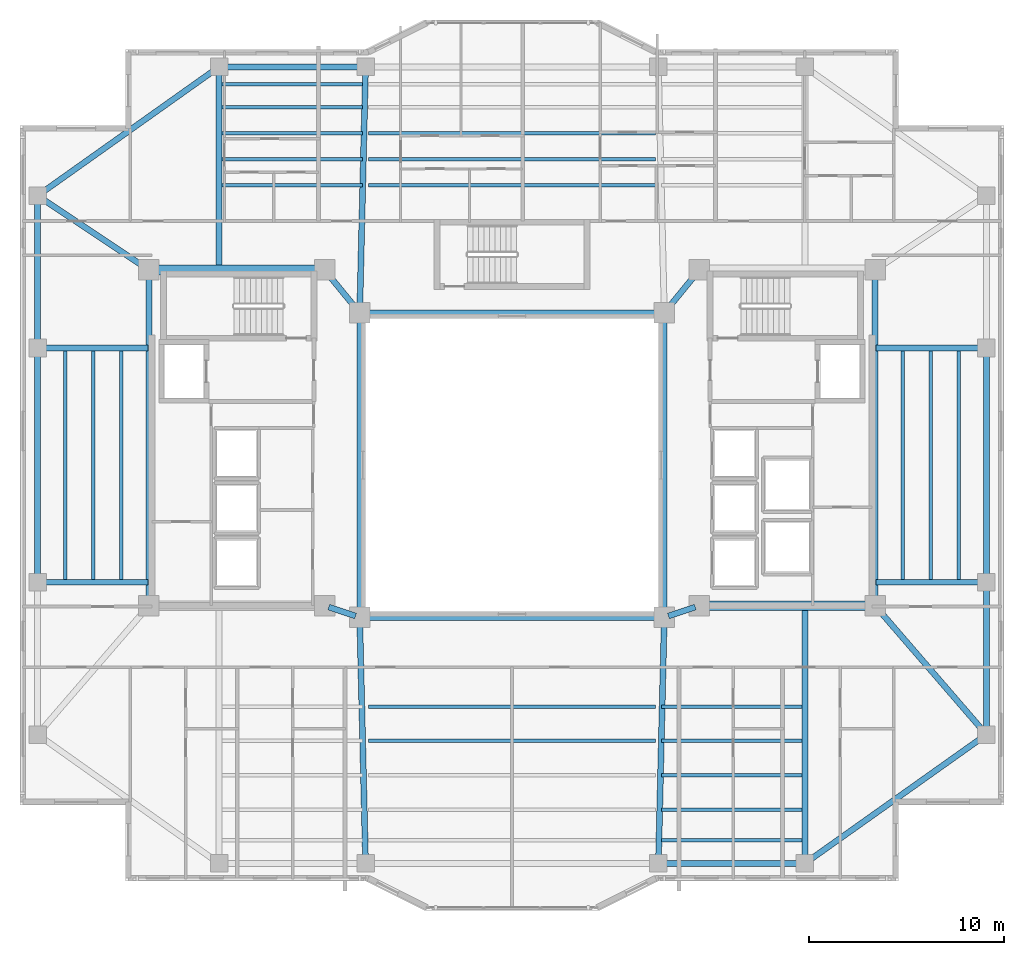
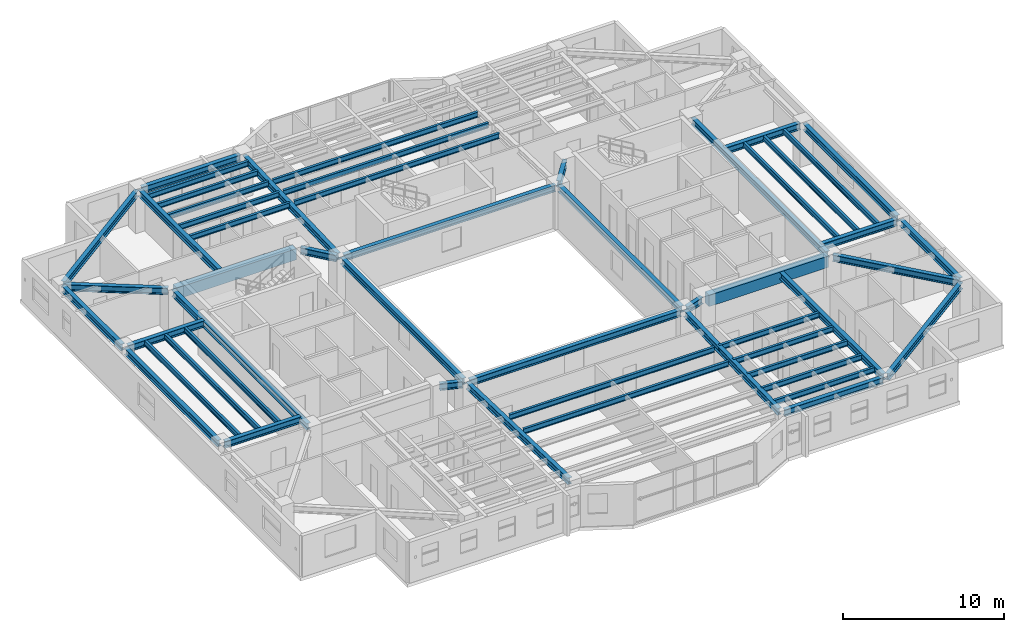
# One storey, part 3 of 16: 52 beams.
"""IFC4 building model written with IfcOpenShell, lengths in metres."""

from ifc_helpers import new_model, si_unit, direction, frame, origin, origin_2d, place, context, subcontext, project, spatial, rectangle, i_section, extrude, material, material_profile, profile_set, type_object, element, save


model = new_model("IFC4")

# Units and contexts
model_context = context("Model", 3, precision=1e-05, world=origin(), true_north=direction((0.0, 1.0)))
body_context = subcontext(model_context, "Body", "Model", "MODEL_VIEW")
ifc_project = project(units=[si_unit("LENGTHUNIT", "METRE"), si_unit("AREAUNIT", "SQUARE_METRE"), si_unit("VOLUMEUNIT", "CUBIC_METRE"), si_unit("PLANEANGLEUNIT", "RADIAN"), si_unit("MASSUNIT", "GRAM", prefix="KILO")], contexts=[model_context])

# Site, building, storey
site_placement = place(None, origin())
site = spatial("IfcSite", under=ifc_project, at=site_placement, CompositionType="ELEMENT")
building_placement = place(site_placement, origin())
building = spatial("IfcBuilding", under=site, at=building_placement, Name="Tarnavaz Court Tower", CompositionType="ELEMENT")
storey_placement = place(building_placement, frame((0.0, 0.0, 152.699951171875)))
storey = spatial("IfcBuildingStorey", under=building, at=storey_placement, Name="L41", CompositionType="ELEMENT", Elevation=152.699951171875)

# Beams
ifc_material_1 = material(Name="Concrete C50/60", Category="concrete")
ifc_material_profile_1 = material_profile(ifc_material_1, rectangle(XDim=0.5, YDim=0.85009765625, at=origin_2d()), Name="RC 500X850")
ifc_profile_set_1 = profile_set([ifc_material_profile_1], Name="Concrete C50/60")
beam_type_1 = type_object("IfcBeamType", Name="BM-CB850", PredefinedType="LINTEL", material=ifc_profile_set_1)
for number, where, z_axis, x_axis, name in (
    (1, (-18.3798828125, 10.0, 2.675048828125), (1.0, 0.0, 0.0), (0.0, 1.0, 0.0), "L41 Beam IN-CW-NO-CW-NI"),
    (2, (18.3798828125, -7.199951171875, 2.675048828125), (-1.0, 0.0, 0.0), (0.0, -1.0, 0.0), "L41 Beam IN-CE-SO-CE-SI"),
):
    element("IfcBeam", number, at=place(storey_placement, frame(where, z_axis=z_axis, x_axis=x_axis)), inside=storey, type_object=beam_type_1, Name=name, PredefinedType="LINTEL", context=body_context, shape_type="SweptSolid", body=[
        extrude(rectangle(XDim=0.5, YDim=0.85009765625, at=origin_2d()), origin(), (0.0, 0.0, 1.0), 8.559814453125),
    ])
ifc_material_2 = material(Name="Steel S355", Category="steel")
ifc_material_profile_2 = material_profile(ifc_material_2, i_section(OverallWidth=0.300048828125, OverallDepth=0.5, WebThickness=0.014404296875, FlangeThickness=0.028076171875, FilletRadius=0.027099609375, at=origin_2d()), Name="HEB 500")
ifc_profile_set_2 = profile_set([ifc_material_profile_2], Name="Steel S355")
beam_type_2 = type_object("IfcBeamType", Name="BM-G-HEB500", PredefinedType="USERDEFINED", material=ifc_profile_set_2)
for number, where, z_axis, x_axis, name in (
    (3, (-9.391357421875, -7.26953125, 2.85009765625), (0.948666544706, -0.316278021615, 0.0), (0.316278021615, 0.948666544706, 0.0), "L41 Beam IN-CW-SI-IW-SW"),
    (4, (9.391357421875, -7.26953125, 2.85009765625), (-0.948666544706, -0.316278021615, 0.0), (0.316278021615, -0.948666544706, 0.0), "L41 Beam IN-CE-SI-IW-SE"),
):
    element("IfcBeam", number, at=place(storey_placement, frame(where, z_axis=z_axis, x_axis=x_axis)), inside=storey, type_object=beam_type_2, Name=name, ObjectType="GIRDER", PredefinedType="USERDEFINED", context=body_context, shape_type="SweptSolid", body=[
        extrude(i_section(OverallWidth=0.300048828125, OverallDepth=0.5, WebThickness=0.014404296875, FlangeThickness=0.028076171875, FilletRadius=0.027099609375, at=origin_2d()), origin(), (0.0, 0.0, 1.0), 1.457275390625),
    ])
for number, where, z_axis, x_axis, name in (
    (5, (-9.460693359375, 9.82958984375, 2.85009765625), (0.633282058357, -0.773921077735, 0.0), (0.773921077735, 0.633282058357, 0.0), "L41 Beam IN-CW-NI-IW-NW"),
    (6, (9.460693359375, 9.82958984375, 2.85009765625), (-0.633282058357, -0.773921077735, 0.0), (0.773921077735, -0.633282058357, 0.0), "L41 Beam IN-CE-NI-IW-NE"),
):
    element("IfcBeam", number, at=place(storey_placement, frame(where, z_axis=z_axis, x_axis=x_axis)), inside=storey, type_object=beam_type_2, Name=name, ObjectType="GIRDER", PredefinedType="USERDEFINED", context=body_context, shape_type="SweptSolid", body=[
        extrude(i_section(OverallWidth=0.300048828125, OverallDepth=0.5, WebThickness=0.014404296875, FlangeThickness=0.028076171875, FilletRadius=0.027099609375, at=origin_2d()), origin(), (0.0, 0.0, 1.0), 2.402587890625),
    ])
for number, where, z_axis, x_axis, name in (
    (7, (-18.60009765625, -6.97998046875, 2.85009765625), (0.0, 1.0, 0.0), (-1.0, 0.0, 0.0), "L41 Beam IN-CW-SO-CW-NO"),
    (8, (18.60009765625, -6.97998046875, 2.85009765625), (0.0, 1.0, 0.0), (-1.0, 0.0, 0.0), "L41 Beam IN-CE-SO-CE-NO"),
):
    element("IfcBeam", number, at=place(storey_placement, frame(where, z_axis=z_axis, x_axis=x_axis)), inside=storey, type_object=beam_type_2, Name=name, ObjectType="GIRDER", PredefinedType="USERDEFINED", context=body_context, shape_type="SweptSolid", body=[
        extrude(i_section(OverallWidth=0.300048828125, OverallDepth=0.5, WebThickness=0.014404296875, FlangeThickness=0.028076171875, FilletRadius=0.027099609375, at=origin_2d()), origin(), (0.0, 0.0, 1.0), 16.760009765625),
    ])
beam_1_placement = place(storey_placement, frame((-15.0, 10.0400390625, 2.85009765625), z_axis=(0.0, 1.0, 0.0), x_axis=(-1.0, 0.0, 0.0)))
element("IfcBeam", 9, at=beam_1_placement, inside=storey, type_object=beam_type_2, Name="L41 Beam RG-01", ObjectType="GIRDER", PredefinedType="USERDEFINED", context=body_context, shape_type="SweptSolid", body=[
    extrude(i_section(OverallWidth=0.300048828125, OverallDepth=0.5, WebThickness=0.014404296875, FlangeThickness=0.028076171875, FilletRadius=0.027099609375, at=origin_2d()), origin(), (0.0, 0.0, 1.0), 10.139892578125),
])
for number, where, z_axis, x_axis, name in (
    (10, (-7.794921875, 8.02001953125, 2.85009765625), (0.023824748444, 0.999716150395, 0.0), (-0.999716150395, 0.023824748444, 0.0), "L41 Beam RG-02"),
    (11, (-7.794921875, -8.02001953125, 2.85009765625), (0.023824748444, -0.999716150395, 0.0), (0.999716150395, 0.023824748444, 0.0), "L41 Beam RG-06"),
    (12, (7.794921875, -8.02001953125, 2.85009765625), (-0.023824748444, -0.999716150395, 0.0), (0.999716150395, -0.023824748444, 0.0), "L41 Beam RG-07"),
):
    element("IfcBeam", number, at=place(storey_placement, frame(where, z_axis=z_axis, x_axis=x_axis)), inside=storey, type_object=beam_type_2, Name=name, ObjectType="GIRDER", PredefinedType="USERDEFINED", context=body_context, shape_type="SweptSolid", body=[
        extrude(i_section(OverallWidth=0.300048828125, OverallDepth=0.5, WebThickness=0.014404296875, FlangeThickness=0.028076171875, FilletRadius=0.027099609375, at=origin_2d()), origin(), (0.0, 0.0, 1.0), 12.16357421875),
    ])
beam_2_placement = place(storey_placement, frame((15.0, -7.239990234375, 2.85009765625), z_axis=(0.0, -1.0, 0.0), x_axis=(1.0, 0.0, 0.0)))
element("IfcBeam", 13, at=beam_2_placement, inside=storey, type_object=beam_type_2, Name="L41 Beam RG-08", ObjectType="GIRDER", PredefinedType="USERDEFINED", context=body_context, shape_type="SweptSolid", body=[
    extrude(i_section(OverallWidth=0.300048828125, OverallDepth=0.5, WebThickness=0.014404296875, FlangeThickness=0.028076171875, FilletRadius=0.027099609375, at=origin_2d()), origin(), (0.0, 0.0, 1.0), 12.93994140625),
])
for number, where, z_axis, x_axis, name in (
    (14, (18.639892578125, -6.0, 2.85009765625), (1.0, 0.0, 0.0), (0.0, 1.0, 0.0), "L41 Beam RG-09"),
    (15, (18.639892578125, 6.0, 2.85009765625), (1.0, 0.0, 0.0), (0.0, 1.0, 0.0), "L41 Beam RG-10"),
):
    element("IfcBeam", number, at=place(storey_placement, frame(where, z_axis=z_axis, x_axis=x_axis)), inside=storey, type_object=beam_type_2, Name=name, ObjectType="GIRDER", PredefinedType="USERDEFINED", context=body_context, shape_type="SweptSolid", body=[
        extrude(i_section(OverallWidth=0.300048828125, OverallDepth=0.5, WebThickness=0.014404296875, FlangeThickness=0.028076171875, FilletRadius=0.027099609375, at=origin_2d()), origin(), (0.0, 0.0, 1.0), 5.440185546875),
    ])
beam_3_placement = place(storey_placement, frame((18.743896484375, -7.366455078125, 2.85009765625), z_axis=(0.653610659012, -0.756830962914, 0.0), x_axis=(0.756830962914, 0.653610659012, 0.0)))
element("IfcBeam", 16, at=beam_3_placement, inside=storey, type_object=beam_type_2, Name="L41 Beam RG-11", ObjectType="GIRDER", PredefinedType="USERDEFINED", context=body_context, shape_type="SweptSolid", body=[
    extrude(i_section(OverallWidth=0.300048828125, OverallDepth=0.5, WebThickness=0.014404296875, FlangeThickness=0.028076171875, FilletRadius=0.027099609375, at=origin_2d()), origin(), (0.0, 0.0, 1.0), 8.28076171875),
])
for number, where, z_axis, x_axis, name in (
    (17, (-18.639892578125, -6.0, 2.85009765625), (-1.0, 0.0, 0.0), (0.0, -1.0, 0.0), "L41 Beam RG-13"),
    (18, (-18.639892578125, 6.0, 2.85009765625), (-1.0, 0.0, 0.0), (0.0, -1.0, 0.0), "L41 Beam RG-14"),
):
    element("IfcBeam", number, at=place(storey_placement, frame(where, z_axis=z_axis, x_axis=x_axis)), inside=storey, type_object=beam_type_2, Name=name, ObjectType="GIRDER", PredefinedType="USERDEFINED", context=body_context, shape_type="SweptSolid", body=[
        extrude(i_section(OverallWidth=0.300048828125, OverallDepth=0.5, WebThickness=0.014404296875, FlangeThickness=0.028076171875, FilletRadius=0.027099609375, at=origin_2d()), origin(), (0.0, 0.0, 1.0), 5.440185546875),
    ])
beam_4_placement = place(storey_placement, frame((-18.783203125, 10.1220703125, 2.85009765625), z_axis=(-0.832044435051, 0.554708985056, 0.0), x_axis=(-0.554708985056, -0.832044435051, 0.0)))
element("IfcBeam", 19, at=beam_4_placement, inside=storey, type_object=beam_type_2, Name="L41 Beam RG-16", ObjectType="GIRDER", PredefinedType="USERDEFINED", context=body_context, shape_type="SweptSolid", body=[
    extrude(i_section(OverallWidth=0.300048828125, OverallDepth=0.5, WebThickness=0.014404296875, FlangeThickness=0.028076171875, FilletRadius=0.027099609375, at=origin_2d()), origin(), (0.0, 0.0, 1.0), 6.410400390625),
])
ifc_material_profile_3 = material_profile(ifc_material_2, i_section(OverallWidth=0.179931640625, OverallDepth=0.39990234375, WebThickness=0.008544921875, FlangeThickness=0.013427734375, FilletRadius=0.02099609375, at=origin_2d()), Name="IPE 400")
ifc_profile_set_3 = profile_set([ifc_material_profile_3], Name="Steel S355")
beam_type_3 = type_object("IfcBeamType", Name="BM-J-IPE400", PredefinedType="JOIST", material=ifc_profile_set_3)
beam_5_placement = place(storey_placement, frame((-14.85009765625, 14.33203125, 2.900146484375), z_axis=(1.0, 0.0, 0.0), x_axis=(0.0, 1.0, 0.0)))
element("IfcBeam", 20, at=beam_5_placement, inside=storey, type_object=beam_type_3, Name="L41 Beam JN1-1", PredefinedType="JOIST", context=body_context, shape_type="SweptSolid", body=[
    extrude(i_section(OverallWidth=0.179931640625, OverallDepth=0.39990234375, WebThickness=0.008544921875, FlangeThickness=0.013427734375, FilletRadius=0.02099609375, at=origin_2d()), origin(), (0.0, 0.0, 1.0), 7.2001953125),
])
for number, where, z_axis, x_axis, name in (
    (21, (-7.35009765625, 14.33203125, 2.900146484375), (1.0, 0.0, 0.0), (0.0, 1.0, 0.0), "L41 Beam JN1-2"),
    (22, (-7.35009765625, -12.364013671875, 2.900146484375), (1.0, 0.0, 0.0), (0.0, 1.0, 0.0), "L41 Beam JS1-2"),
):
    element("IfcBeam", number, at=place(storey_placement, frame(where, z_axis=z_axis, x_axis=x_axis)), inside=storey, type_object=beam_type_3, Name=name, PredefinedType="JOIST", context=body_context, shape_type="SweptSolid", body=[
        extrude(i_section(OverallWidth=0.179931640625, OverallDepth=0.39990234375, WebThickness=0.008544921875, FlangeThickness=0.013427734375, FilletRadius=0.02099609375, at=origin_2d()), origin(), (0.0, 0.0, 1.0), 14.7001953125),
    ])
for number, where, z_axis, x_axis, name in (
    (23, (7.64990234375, -12.364013671875, 2.900146484375), (1.0, 0.0, 0.0), (0.0, 1.0, 0.0), "L41 Beam JS1-3"),
    (24, (-14.85009765625, 15.6640625, 2.900146484375), (1.0, 0.0, 0.0), (0.0, 1.0, 0.0), "L41 Beam JN2-1"),
):
    element("IfcBeam", number, at=place(storey_placement, frame(where, z_axis=z_axis, x_axis=x_axis)), inside=storey, type_object=beam_type_3, Name=name, PredefinedType="JOIST", context=body_context, shape_type="SweptSolid", body=[
        extrude(i_section(OverallWidth=0.179931640625, OverallDepth=0.39990234375, WebThickness=0.008544921875, FlangeThickness=0.013427734375, FilletRadius=0.02099609375, at=origin_2d()), origin(), (0.0, 0.0, 1.0), 7.2001953125),
    ])
for number, where, z_axis, x_axis, name in (
    (25, (-7.35009765625, 15.6640625, 2.900146484375), (1.0, 0.0, 0.0), (0.0, 1.0, 0.0), "L41 Beam JN2-2"),
    (26, (-7.35009765625, -14.1279296875, 2.900146484375), (1.0, 0.0, 0.0), (0.0, 1.0, 0.0), "L41 Beam JS2-2"),
):
    element("IfcBeam", number, at=place(storey_placement, frame(where, z_axis=z_axis, x_axis=x_axis)), inside=storey, type_object=beam_type_3, Name=name, PredefinedType="JOIST", context=body_context, shape_type="SweptSolid", body=[
        extrude(i_section(OverallWidth=0.179931640625, OverallDepth=0.39990234375, WebThickness=0.008544921875, FlangeThickness=0.013427734375, FilletRadius=0.02099609375, at=origin_2d()), origin(), (0.0, 0.0, 1.0), 14.7001953125),
    ])
for number, where, z_axis, x_axis, name in (
    (27, (7.64990234375, -14.1279296875, 2.900146484375), (1.0, 0.0, 0.0), (0.0, 1.0, 0.0), "L41 Beam JS2-3"),
    (28, (-14.85009765625, 16.99609375, 2.900146484375), (1.0, 0.0, 0.0), (0.0, 1.0, 0.0), "L41 Beam JN3-1"),
):
    element("IfcBeam", number, at=place(storey_placement, frame(where, z_axis=z_axis, x_axis=x_axis)), inside=storey, type_object=beam_type_3, Name=name, PredefinedType="JOIST", context=body_context, shape_type="SweptSolid", body=[
        extrude(i_section(OverallWidth=0.179931640625, OverallDepth=0.39990234375, WebThickness=0.008544921875, FlangeThickness=0.013427734375, FilletRadius=0.02099609375, at=origin_2d()), origin(), (0.0, 0.0, 1.0), 7.2001953125),
    ])
beam_6_placement = place(storey_placement, frame((-7.35009765625, 16.99609375, 2.900146484375), z_axis=(1.0, 0.0, 0.0), x_axis=(0.0, 1.0, 0.0)))
element("IfcBeam", 29, at=beam_6_placement, inside=storey, type_object=beam_type_3, Name="L41 Beam JN3-2", PredefinedType="JOIST", context=body_context, shape_type="SweptSolid", body=[
    extrude(i_section(OverallWidth=0.179931640625, OverallDepth=0.39990234375, WebThickness=0.008544921875, FlangeThickness=0.013427734375, FilletRadius=0.02099609375, at=origin_2d()), origin(), (0.0, 0.0, 1.0), 14.7001953125),
])
for number, where, z_axis, x_axis, name in (
    (30, (7.64990234375, -15.89208984375, 2.900146484375), (1.0, 0.0, 0.0), (0.0, 1.0, 0.0), "L41 Beam JS3-3"),
    (31, (-14.85009765625, 18.327880859375, 2.900146484375), (1.0, 0.0, 0.0), (0.0, 1.0, 0.0), "L41 Beam JN4-1"),
    (32, (7.64990234375, -17.656005859375, 2.900146484375), (1.0, 0.0, 0.0), (0.0, 1.0, 0.0), "L41 Beam JS4-3"),
    (33, (-14.85009765625, 19.511962890625, 2.900146484375), (1.0, 0.0, 0.0), (0.0, 1.0, 0.0), "L41 Beam JN5-1"),
    (34, (7.64990234375, -19.22412109375, 2.900146484375), (1.0, 0.0, 0.0), (0.0, 1.0, 0.0), "L41 Beam JS5-3"),
):
    element("IfcBeam", number, at=place(storey_placement, frame(where, z_axis=z_axis, x_axis=x_axis)), inside=storey, type_object=beam_type_3, Name=name, PredefinedType="JOIST", context=body_context, shape_type="SweptSolid", body=[
        extrude(i_section(OverallWidth=0.179931640625, OverallDepth=0.39990234375, WebThickness=0.008544921875, FlangeThickness=0.013427734375, FilletRadius=0.02099609375, at=origin_2d()), origin(), (0.0, 0.0, 1.0), 7.2001953125),
    ])
for number, where, z_axis, x_axis, name in (
    (35, (20.02490234375, -5.9599609375, 2.900146484375), (0.0, 1.0, 0.0), (-1.0, 0.0, 0.0), "L41 Beam JE1"),
    (36, (-20.02490234375, -5.9599609375, 2.900146484375), (0.0, 1.0, 0.0), (-1.0, 0.0, 0.0), "L41 Beam JW1"),
    (37, (21.449951171875, -5.9599609375, 2.900146484375), (0.0, 1.0, 0.0), (-1.0, 0.0, 0.0), "L41 Beam JE2"),
    (38, (-21.449951171875, -5.9599609375, 2.900146484375), (0.0, 1.0, 0.0), (-1.0, 0.0, 0.0), "L41 Beam JW2"),
    (39, (22.875, -5.9599609375, 2.900146484375), (0.0, 1.0, 0.0), (-1.0, 0.0, 0.0), "L41 Beam JE3"),
    (40, (-22.875, -5.9599609375, 2.900146484375), (0.0, 1.0, 0.0), (-1.0, 0.0, 0.0), "L41 Beam JW3"),
):
    element("IfcBeam", number, at=place(storey_placement, frame(where, z_axis=z_axis, x_axis=x_axis)), inside=storey, type_object=beam_type_3, Name=name, PredefinedType="JOIST", context=body_context, shape_type="SweptSolid", body=[
        extrude(i_section(OverallWidth=0.179931640625, OverallDepth=0.39990234375, WebThickness=0.008544921875, FlangeThickness=0.013427734375, FilletRadius=0.02099609375, at=origin_2d()), origin(), (0.0, 0.0, 1.0), 11.919921875),
    ])
ifc_material_profile_4 = material_profile(ifc_material_2, i_section(OverallWidth=0.300048828125, OverallDepth=0.489990234375, WebThickness=0.011962890625, FlangeThickness=0.02294921875, FilletRadius=0.027099609375, at=origin_2d()), Name="HEA 500")
ifc_profile_set_4 = profile_set([ifc_material_profile_4], Name="Steel S355")
beam_type_4 = type_object("IfcBeamType", Name="BM-SP-HEA500", PredefinedType="SPANDREL", material=ifc_profile_set_4)
for number, where, z_axis, x_axis, name in (
    (41, (-7.580078125, -7.800048828125, 2.85498046875), (1.0, 0.0, 0.0), (0.0, 1.0, 0.0), "L41 Beam IN-IW-SW-IW-SE"),
    (42, (-7.580078125, 7.800048828125, 2.85498046875), (1.0, 0.0, 0.0), (0.0, 1.0, 0.0), "L41 Beam IN-IW-NW-IW-NE"),
    (43, (-7.800048828125, -7.580078125, 2.85498046875), (0.0, 1.0, 0.0), (-1.0, 0.0, 0.0), "L41 Beam IN-IW-SW-IW-NW"),
    (44, (7.800048828125, -7.580078125, 2.85498046875), (0.0, 1.0, 0.0), (-1.0, 0.0, 0.0), "L41 Beam IN-IW-SE-IW-NE"),
):
    element("IfcBeam", number, at=place(storey_placement, frame(where, z_axis=z_axis, x_axis=x_axis)), inside=storey, type_object=beam_type_4, Name=name, PredefinedType="SPANDREL", context=body_context, shape_type="SweptSolid", body=[
        extrude(i_section(OverallWidth=0.300048828125, OverallDepth=0.489990234375, WebThickness=0.011962890625, FlangeThickness=0.02294921875, FilletRadius=0.027099609375, at=origin_2d()), origin(), (0.0, 0.0, 1.0), 15.16015625),
    ])
for number, where, z_axis, x_axis, name in (
    (45, (-14.780029296875, 20.39990234375, 2.85498046875), (1.0, 0.0, 0.0), (0.0, 1.0, 0.0), "L41 Beam PR-PN-1-PN-2"),
    (46, (7.719970703125, -20.39990234375, 2.85498046875), (1.0, 0.0, 0.0), (0.0, 1.0, 0.0), "L41 Beam PR-PS-3-PS-4"),
):
    element("IfcBeam", number, at=place(storey_placement, frame(where, z_axis=z_axis, x_axis=x_axis)), inside=storey, type_object=beam_type_4, Name=name, PredefinedType="SPANDREL", context=body_context, shape_type="SweptSolid", body=[
        extrude(i_section(OverallWidth=0.300048828125, OverallDepth=0.489990234375, WebThickness=0.011962890625, FlangeThickness=0.02294921875, FilletRadius=0.027099609375, at=origin_2d()), origin(), (0.0, 0.0, 1.0), 7.06005859375),
    ])
beam_7_placement = place(storey_placement, frame((24.300048828125, -13.580078125, 2.85498046875), z_axis=(0.0, 1.0, 0.0), x_axis=(-1.0, 0.0, 0.0)))
element("IfcBeam", 47, at=beam_7_placement, inside=storey, type_object=beam_type_4, Name="L41 Beam PR-PE-1-PE-2", PredefinedType="SPANDREL", context=body_context, shape_type="SweptSolid", body=[
    extrude(i_section(OverallWidth=0.300048828125, OverallDepth=0.489990234375, WebThickness=0.011962890625, FlangeThickness=0.02294921875, FilletRadius=0.027099609375, at=origin_2d()), origin(), (0.0, 0.0, 1.0), 7.360107421875),
])
for number, where, z_axis, x_axis, name in (
    (48, (24.300048828125, -5.780029296875, 2.85498046875), (0.0, 1.0, 0.0), (-1.0, 0.0, 0.0), "L41 Beam PR-PE-2-PE-3"),
    (49, (-24.300048828125, -5.780029296875, 2.85498046875), (0.0, 1.0, 0.0), (-1.0, 0.0, 0.0), "L41 Beam PR-PW-2-PW-3"),
):
    element("IfcBeam", number, at=place(storey_placement, frame(where, z_axis=z_axis, x_axis=x_axis)), inside=storey, type_object=beam_type_4, Name=name, PredefinedType="SPANDREL", context=body_context, shape_type="SweptSolid", body=[
        extrude(i_section(OverallWidth=0.300048828125, OverallDepth=0.489990234375, WebThickness=0.011962890625, FlangeThickness=0.02294921875, FilletRadius=0.027099609375, at=origin_2d()), origin(), (0.0, 0.0, 1.0), 11.56005859375),
    ])
beam_8_placement = place(storey_placement, frame((-24.300048828125, 6.219970703125, 2.85498046875), z_axis=(0.0, 1.0, 0.0), x_axis=(-1.0, 0.0, 0.0)))
element("IfcBeam", 50, at=beam_8_placement, inside=storey, type_object=beam_type_4, Name="L41 Beam PR-PW-3-PW-4", PredefinedType="SPANDREL", context=body_context, shape_type="SweptSolid", body=[
    extrude(i_section(OverallWidth=0.300048828125, OverallDepth=0.489990234375, WebThickness=0.011962890625, FlangeThickness=0.02294921875, FilletRadius=0.027099609375, at=origin_2d()), origin(), (0.0, 0.0, 1.0), 7.360107421875),
])
for number, where, z_axis, x_axis, name in (
    (51, (24.12060546875, -13.92724609375, 2.85498046875), (-0.815502059396, -0.57875417158, 0.0), (0.57875417158, -0.815502059396, 0.0), "L41 Beam PR-PE-1-PS-4"),
    (52, (-24.12060546875, 13.92724609375, 2.85498046875), (0.815502059396, 0.57875417158, 0.0), (-0.57875417158, 0.815502059396, 0.0), "L41 Beam PR-PW-4-PN-1"),
):
    element("IfcBeam", number, at=place(storey_placement, frame(where, z_axis=z_axis, x_axis=x_axis)), inside=storey, type_object=beam_type_4, Name=name, PredefinedType="SPANDREL", context=body_context, shape_type="SweptSolid", body=[
        extrude(i_section(OverallWidth=0.300048828125, OverallDepth=0.489990234375, WebThickness=0.011962890625, FlangeThickness=0.02294921875, FilletRadius=0.027099609375, at=origin_2d()), origin(), (0.0, 0.0, 1.0), 10.964111328125),
    ])

save(model, "model.ifc")
